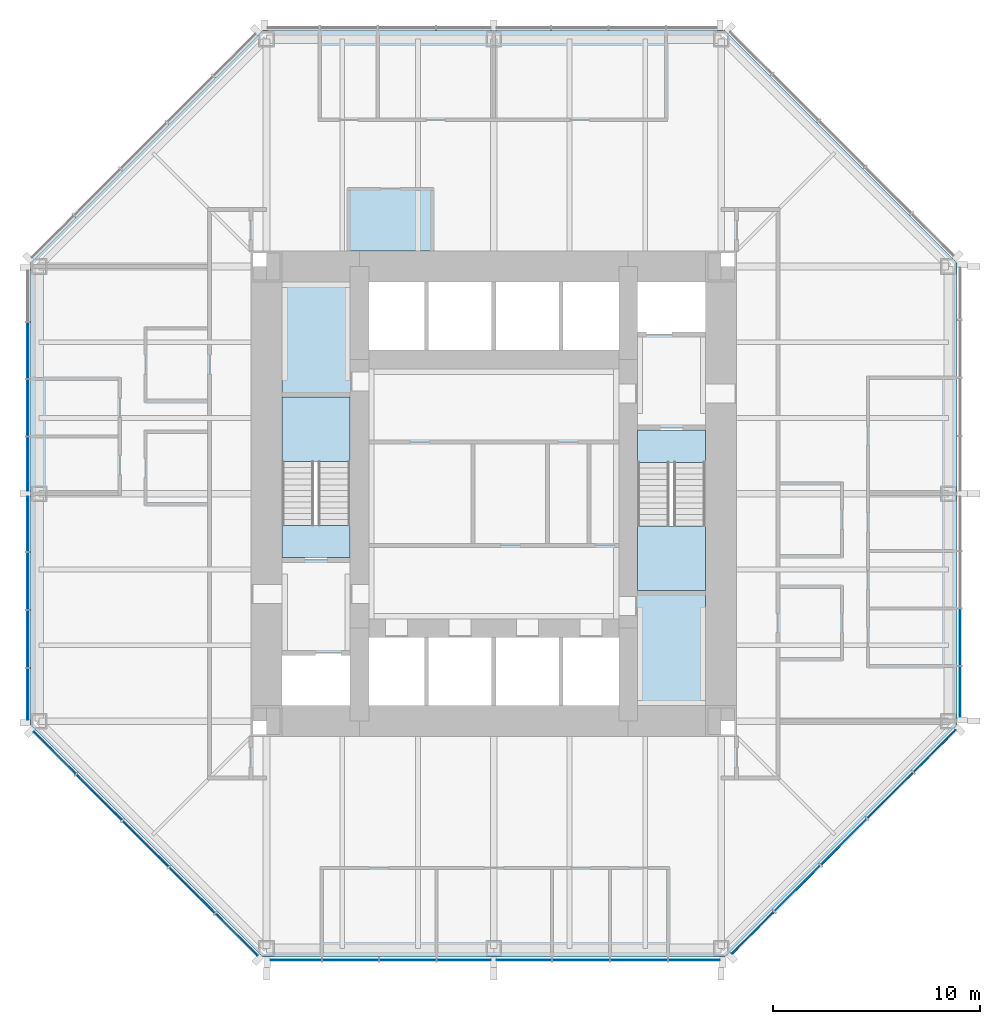
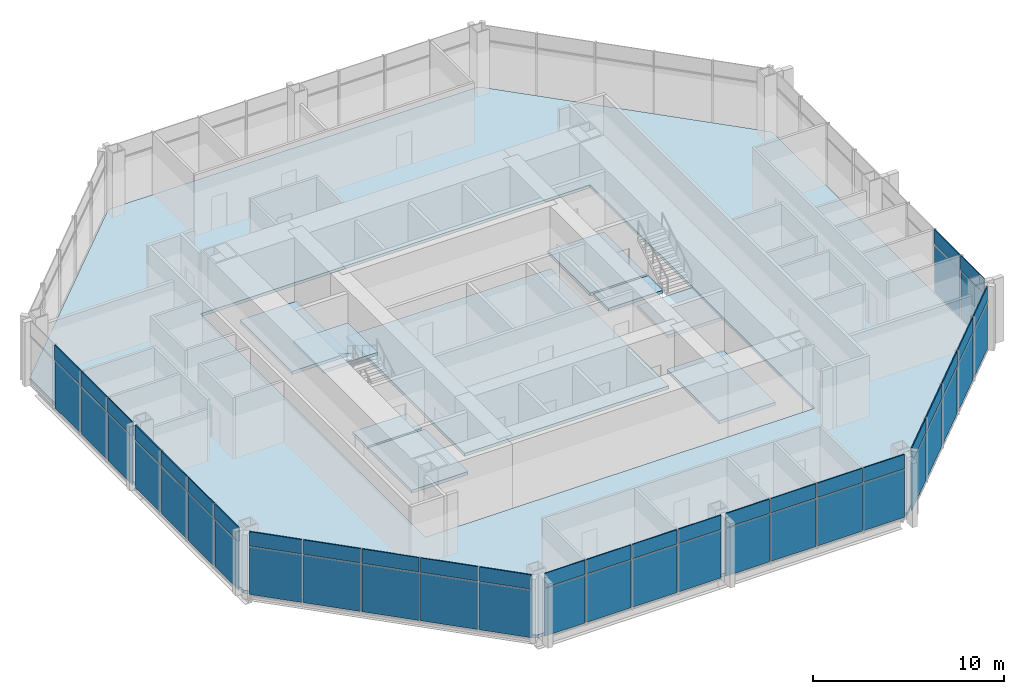
# One storey, part 7 of 12: 54 plates, 10 slabs, 7 elements without a shape of their own.
"""IFC4 building model written with IfcOpenShell, lengths in metres."""

from ifc_helpers import new_model, si_unit, direction, frame, origin, origin_2d, place, context, subcontext, project, spatial, polyline, rectangle, outline, extrude, material, layer, layer_set, type_object, element, aggregate, save


model = new_model("IFC4")

# Units and contexts
model_context = context("Model", 3, precision=1e-05, world=origin(), true_north=direction((0.0, 1.0)))
body_context = subcontext(model_context, "Body", "Model", "MODEL_VIEW")
ifc_project = project(units=[si_unit("LENGTHUNIT", "METRE"), si_unit("AREAUNIT", "SQUARE_METRE"), si_unit("VOLUMEUNIT", "CUBIC_METRE"), si_unit("PLANEANGLEUNIT", "RADIAN"), si_unit("MASSUNIT", "GRAM", prefix="KILO")], contexts=[model_context])

# Site, building, storey
site_placement = place(None, origin())
site = spatial("IfcSite", under=ifc_project, at=site_placement, CompositionType="ELEMENT")
building_placement = place(site_placement, origin())
building = spatial("IfcBuilding", under=site, at=building_placement, Name="Trevanion Tower", CompositionType="ELEMENT")
storey_placement = place(building_placement, frame((0.0, 0.0, 137.699951171875)))
storey = spatial("IfcBuildingStorey", under=building, at=storey_placement, Name="L32", CompositionType="ELEMENT", Elevation=137.699951171875)

# Curtain wall, plates
ifc_material_1 = material(Name="Aluminium and glass", Category="aluminium")
curtain_wall_type = type_object("IfcCurtainWallType", Name="CW2 curtain wall", PredefinedType="USERDEFINED", material=ifc_material_1)
curtain_wall_1_placement = place(storey_placement, origin())
curtain_wall_1 = element("IfcCurtainWall", 1, at=curtain_wall_1_placement, inside=storey, type_object=curtain_wall_type, Name="CW2 L32 0", ObjectType="UNITISED CURTAIN WALL", PredefinedType="USERDEFINED")
ifc_material_2 = material(Name="Aluminium spandrel panel", Category="aluminium")
ifc_layer_1 = layer(ifc_material_2, 0.06005859375)
ifc_layer_set_1 = layer_set([ifc_layer_1], Name="CW2 spandrel panel")
plate_type_1 = type_object("IfcPlateType", Name="CW2 spandrel panel", PredefinedType="CURTAIN_PANEL", material=ifc_layer_set_1)
plate_1_placement = place(storey_placement, frame((22.550048828125, -9.579345703125, 2.99755859375), z_axis=(0.0, 0.0, 1.0), x_axis=(0.0, 1.0, 0.0)))
plate_1 = element("IfcPlate", 2, at=plate_1_placement, type_object=plate_type_1, Name="CW2 panel 1.2", PredefinedType="CURTAIN_PANEL", context=body_context, shape_type="SweptSolid", body=[
    extrude(rectangle(XDim=2.43701171875, YDim=0.06005859375, at=origin_2d()), origin(), (0.0, 0.0, 1.0), 0.91259765625),
])
plate_2_placement = place(storey_placement, frame((22.550048828125, -6.93603515625, 2.99755859375), z_axis=(0.0, 0.0, 1.0), x_axis=(0.0, 1.0, 0.0)))
plate_2 = element("IfcPlate", 3, at=plate_2_placement, type_object=plate_type_1, Name="CW2 panel 2.2", PredefinedType="CURTAIN_PANEL", context=body_context, shape_type="SweptSolid", body=[
    extrude(rectangle(XDim=2.699462890625, YDim=0.06005859375, at=origin_2d()), origin(), (0.0, 0.0, 1.0), 0.91259765625),
])

curtain_wall_2_placement = place(storey_placement, origin())
curtain_wall_2 = element("IfcCurtainWall", 4, at=curtain_wall_2_placement, inside=storey, type_object=curtain_wall_type, Name="CW2 L32 4", ObjectType="UNITISED CURTAIN WALL", PredefinedType="USERDEFINED")
plate_3_placement = place(storey_placement, frame((-22.550048828125, 6.93603515625, 2.99755859375), z_axis=(0.0, 0.0, 1.0), x_axis=(0.0, -1.0, 0.0)))
plate_3 = element("IfcPlate", 5, at=plate_3_placement, type_object=plate_type_1, Name="CW2 panel 2.2", PredefinedType="CURTAIN_PANEL", context=body_context, shape_type="SweptSolid", body=[
    extrude(rectangle(XDim=2.699462890625, YDim=0.06005859375, at=origin_2d()), origin(), (0.0, 0.0, 1.0), 0.91259765625),
])
plate_4_placement = place(storey_placement, frame((-22.550048828125, 4.16162109375, 2.99755859375), z_axis=(0.0, 0.0, 1.0), x_axis=(0.0, -1.0, 0.0)))
plate_4 = element("IfcPlate", 6, at=plate_4_placement, type_object=plate_type_1, Name="CW2 panel 3.2", PredefinedType="CURTAIN_PANEL", context=body_context, shape_type="SweptSolid", body=[
    extrude(rectangle(XDim=2.699462890625, YDim=0.06005859375, at=origin_2d()), origin(), (0.0, 0.0, 1.0), 0.91259765625),
])
plate_5_placement = place(storey_placement, frame((-22.550048828125, 1.443603515625, 2.99755859375), z_axis=(0.0, 0.0, 1.0), x_axis=(0.0, -1.0, 0.0)))
plate_5 = element("IfcPlate", 7, at=plate_5_placement, type_object=plate_type_1, Name="CW2 panel 4.2", PredefinedType="CURTAIN_PANEL", context=body_context, shape_type="SweptSolid", body=[
    extrude(rectangle(XDim=2.5869140625, YDim=0.06005859375, at=origin_2d()), origin(), (0.0, 0.0, 1.0), 0.91259765625),
])
plate_6_placement = place(storey_placement, frame((-22.550048828125, -1.459716796875, 2.99755859375), z_axis=(0.0, 0.0, 1.0), x_axis=(0.0, -1.0, 0.0)))
plate_6 = element("IfcPlate", 8, at=plate_6_placement, type_object=plate_type_1, Name="CW2 panel 5.2", PredefinedType="CURTAIN_PANEL", context=body_context, shape_type="SweptSolid", body=[
    extrude(rectangle(XDim=2.619384765625, YDim=0.06005859375, at=origin_2d()), origin(), (0.0, 0.0, 1.0), 0.91259765625),
])
plate_7_placement = place(storey_placement, frame((-22.550048828125, -4.21044921875, 2.99755859375), z_axis=(0.0, 0.0, 1.0), x_axis=(0.0, -1.0, 0.0)))
plate_7 = element("IfcPlate", 9, at=plate_7_placement, type_object=plate_type_1, Name="CW2 panel 6.2", PredefinedType="CURTAIN_PANEL", context=body_context, shape_type="SweptSolid", body=[
    extrude(rectangle(XDim=2.73193359375, YDim=0.06005859375, at=origin_2d()), origin(), (0.0, 0.0, 1.0), 0.91259765625),
])
plate_8_placement = place(storey_placement, frame((-22.550048828125, -7.017333984375, 2.99755859375), z_axis=(0.0, 0.0, 1.0), x_axis=(0.0, -1.0, 0.0)))
plate_8 = element("IfcPlate", 10, at=plate_8_placement, type_object=plate_type_1, Name="CW2 panel 7.2", PredefinedType="CURTAIN_PANEL", context=body_context, shape_type="SweptSolid", body=[
    extrude(rectangle(XDim=2.73193359375, YDim=0.06005859375, at=origin_2d()), origin(), (0.0, 0.0, 1.0), 0.91259765625),
])
plate_9_placement = place(storey_placement, frame((-22.550048828125, -9.693115234375, 2.99755859375), z_axis=(0.0, 0.0, 1.0), x_axis=(0.0, -1.0, 0.0)))
plate_9 = element("IfcPlate", 11, at=plate_9_placement, type_object=plate_type_1, Name="CW2 panel 8.2", PredefinedType="CURTAIN_PANEL", context=body_context, shape_type="SweptSolid", body=[
    extrude(rectangle(XDim=2.469482421875, YDim=0.06005859375, at=origin_2d()), origin(), (0.0, 0.0, 1.0), 0.91259765625),
])

curtain_wall_3_placement = place(storey_placement, origin())
curtain_wall_3 = element("IfcCurtainWall", 12, at=curtain_wall_3_placement, inside=storey, type_object=curtain_wall_type, Name="CW2 L32 5", ObjectType="UNITISED CURTAIN WALL", PredefinedType="USERDEFINED")
plate_10_placement = place(storey_placement, frame((-21.2421875, -12.53564453125, 2.99755859375), z_axis=(0.0, 0.0, 1.0), x_axis=(0.707106781187, -0.707106781187, 0.0)))
plate_10 = element("IfcPlate", 13, at=plate_10_placement, type_object=plate_type_1, Name="CW2 panel 1.2", PredefinedType="CURTAIN_PANEL", context=body_context, shape_type="SweptSolid", body=[
    extrude(rectangle(XDim=2.8388671875, YDim=0.06005859375, at=origin_2d()), origin(), (0.0, 0.0, 1.0), 0.91259765625),
])
plate_11_placement = place(storey_placement, frame((-19.089111328125, -14.688720703125, 2.99755859375), z_axis=(0.0, 0.0, 1.0), x_axis=(0.707106781187, -0.707106781187, 0.0)))
plate_11 = element("IfcPlate", 14, at=plate_11_placement, type_object=plate_type_1, Name="CW2 panel 2.2", PredefinedType="CURTAIN_PANEL", context=body_context, shape_type="SweptSolid", body=[
    extrude(rectangle(XDim=3.101318359375, YDim=0.06005859375, at=origin_2d()), origin(), (0.0, 0.0, 1.0), 0.91259765625),
])
plate_12_placement = place(storey_placement, frame((-16.843017578125, -16.934814453125, 2.99755859375), z_axis=(0.0, 0.0, 1.0), x_axis=(0.707106781187, -0.707106781187, 0.0)))
plate_12 = element("IfcPlate", 15, at=plate_12_placement, type_object=plate_type_1, Name="CW2 panel 3.2", PredefinedType="CURTAIN_PANEL", context=body_context, shape_type="SweptSolid", body=[
    extrude(rectangle(XDim=3.101318359375, YDim=0.06005859375, at=origin_2d()), origin(), (0.0, 0.0, 1.0), 0.91259765625),
])
plate_13_placement = place(storey_placement, frame((-14.596923828125, -19.180908203125, 2.99755859375), z_axis=(0.0, 0.0, 1.0), x_axis=(0.707106781187, -0.707106781187, 0.0)))
plate_13 = element("IfcPlate", 16, at=plate_13_placement, type_object=plate_type_1, Name="CW2 panel 4.2", PredefinedType="CURTAIN_PANEL", context=body_context, shape_type="SweptSolid", body=[
    extrude(rectangle(XDim=3.101318359375, YDim=0.06005859375, at=origin_2d()), origin(), (0.0, 0.0, 1.0), 0.91259765625),
])
plate_14_placement = place(storey_placement, frame((-12.443603515625, -21.334228515625, 2.99755859375), z_axis=(0.0, 0.0, 1.0), x_axis=(0.707106781187, -0.707106781187, 0.0)))
plate_14 = element("IfcPlate", 17, at=plate_14_placement, type_object=plate_type_1, Name="CW2 panel 5.2", PredefinedType="CURTAIN_PANEL", context=body_context, shape_type="SweptSolid", body=[
    extrude(rectangle(XDim=2.8388671875, YDim=0.06005859375, at=origin_2d()), origin(), (0.0, 0.0, 1.0), 0.91259765625),
])

curtain_wall_4_placement = place(storey_placement, origin())
curtain_wall_4 = element("IfcCurtainWall", 18, at=curtain_wall_4_placement, inside=storey, type_object=curtain_wall_type, Name="CW2 L32 6", ObjectType="UNITISED CURTAIN WALL", PredefinedType="USERDEFINED")
plate_15_placement = place(storey_placement, frame((-9.579345703125, -22.550048828125, 2.99755859375), z_axis=(0.0, 0.0, 1.0), x_axis=(1.0, 0.0, 0.0)))
plate_15 = element("IfcPlate", 19, at=plate_15_placement, type_object=plate_type_1, Name="CW2 panel 1.2", PredefinedType="CURTAIN_PANEL", context=body_context, shape_type="SweptSolid", body=[
    extrude(rectangle(XDim=2.43701171875, YDim=0.06005859375, at=origin_2d()), origin(), (0.0, 0.0, 1.0), 0.91259765625),
])
plate_16_placement = place(storey_placement, frame((-6.93603515625, -22.550048828125, 2.99755859375), z_axis=(0.0, 0.0, 1.0), x_axis=(1.0, 0.0, 0.0)))
plate_16 = element("IfcPlate", 20, at=plate_16_placement, type_object=plate_type_1, Name="CW2 panel 2.2", PredefinedType="CURTAIN_PANEL", context=body_context, shape_type="SweptSolid", body=[
    extrude(rectangle(XDim=2.699462890625, YDim=0.06005859375, at=origin_2d()), origin(), (0.0, 0.0, 1.0), 0.91259765625),
])
plate_17_placement = place(storey_placement, frame((-4.16162109375, -22.550048828125, 2.99755859375), z_axis=(0.0, 0.0, 1.0), x_axis=(1.0, 0.0, 0.0)))
plate_17 = element("IfcPlate", 21, at=plate_17_placement, type_object=plate_type_1, Name="CW2 panel 3.2", PredefinedType="CURTAIN_PANEL", context=body_context, shape_type="SweptSolid", body=[
    extrude(rectangle(XDim=2.699462890625, YDim=0.06005859375, at=origin_2d()), origin(), (0.0, 0.0, 1.0), 0.91259765625),
])
plate_18_placement = place(storey_placement, frame((-1.443603515625, -22.550048828125, 2.99755859375), z_axis=(0.0, 0.0, 1.0), x_axis=(1.0, 0.0, 0.0)))
plate_18 = element("IfcPlate", 22, at=plate_18_placement, type_object=plate_type_1, Name="CW2 panel 4.2", PredefinedType="CURTAIN_PANEL", context=body_context, shape_type="SweptSolid", body=[
    extrude(rectangle(XDim=2.5869140625, YDim=0.06005859375, at=origin_2d()), origin(), (0.0, 0.0, 1.0), 0.91259765625),
])
plate_19_placement = place(storey_placement, frame((1.459716796875, -22.550048828125, 2.99755859375), z_axis=(0.0, 0.0, 1.0), x_axis=(1.0, 0.0, 0.0)))
plate_19 = element("IfcPlate", 23, at=plate_19_placement, type_object=plate_type_1, Name="CW2 panel 5.2", PredefinedType="CURTAIN_PANEL", context=body_context, shape_type="SweptSolid", body=[
    extrude(rectangle(XDim=2.619384765625, YDim=0.06005859375, at=origin_2d()), origin(), (0.0, 0.0, 1.0), 0.91259765625),
])
plate_20_placement = place(storey_placement, frame((4.21044921875, -22.550048828125, 2.99755859375), z_axis=(0.0, 0.0, 1.0), x_axis=(1.0, 0.0, 0.0)))
plate_20 = element("IfcPlate", 24, at=plate_20_placement, type_object=plate_type_1, Name="CW2 panel 6.2", PredefinedType="CURTAIN_PANEL", context=body_context, shape_type="SweptSolid", body=[
    extrude(rectangle(XDim=2.73193359375, YDim=0.06005859375, at=origin_2d()), origin(), (0.0, 0.0, 1.0), 0.91259765625),
])
plate_21_placement = place(storey_placement, frame((7.017333984375, -22.550048828125, 2.99755859375), z_axis=(0.0, 0.0, 1.0), x_axis=(1.0, 0.0, 0.0)))
plate_21 = element("IfcPlate", 25, at=plate_21_placement, type_object=plate_type_1, Name="CW2 panel 7.2", PredefinedType="CURTAIN_PANEL", context=body_context, shape_type="SweptSolid", body=[
    extrude(rectangle(XDim=2.73193359375, YDim=0.06005859375, at=origin_2d()), origin(), (0.0, 0.0, 1.0), 0.91259765625),
])
plate_22_placement = place(storey_placement, frame((9.693115234375, -22.550048828125, 2.99755859375), z_axis=(0.0, 0.0, 1.0), x_axis=(1.0, 0.0, 0.0)))
plate_22 = element("IfcPlate", 26, at=plate_22_placement, type_object=plate_type_1, Name="CW2 panel 8.2", PredefinedType="CURTAIN_PANEL", context=body_context, shape_type="SweptSolid", body=[
    extrude(rectangle(XDim=2.469482421875, YDim=0.06005859375, at=origin_2d()), origin(), (0.0, 0.0, 1.0), 0.91259765625),
])

curtain_wall_5_placement = place(storey_placement, origin())
curtain_wall_5 = element("IfcCurtainWall", 27, at=curtain_wall_5_placement, inside=storey, type_object=curtain_wall_type, Name="CW2 L32 7", ObjectType="UNITISED CURTAIN WALL", PredefinedType="USERDEFINED")
plate_23_placement = place(storey_placement, frame((12.53564453125, -21.2421875, 2.99755859375), z_axis=(0.0, 0.0, 1.0), x_axis=(0.707106781187, 0.707106781187, 0.0)))
plate_23 = element("IfcPlate", 28, at=plate_23_placement, type_object=plate_type_1, Name="CW2 panel 1.2", PredefinedType="CURTAIN_PANEL", context=body_context, shape_type="SweptSolid", body=[
    extrude(rectangle(XDim=2.8388671875, YDim=0.06005859375, at=origin_2d()), origin(), (0.0, 0.0, 1.0), 0.91259765625),
])
plate_24_placement = place(storey_placement, frame((14.688720703125, -19.089111328125, 2.99755859375), z_axis=(0.0, 0.0, 1.0), x_axis=(0.707106781187, 0.707106781187, 0.0)))
plate_24 = element("IfcPlate", 29, at=plate_24_placement, type_object=plate_type_1, Name="CW2 panel 2.2", PredefinedType="CURTAIN_PANEL", context=body_context, shape_type="SweptSolid", body=[
    extrude(rectangle(XDim=3.101318359375, YDim=0.06005859375, at=origin_2d()), origin(), (0.0, 0.0, 1.0), 0.91259765625),
])
plate_25_placement = place(storey_placement, frame((16.934814453125, -16.843017578125, 2.99755859375), z_axis=(0.0, 0.0, 1.0), x_axis=(0.707106781187, 0.707106781187, 0.0)))
plate_25 = element("IfcPlate", 30, at=plate_25_placement, type_object=plate_type_1, Name="CW2 panel 3.2", PredefinedType="CURTAIN_PANEL", context=body_context, shape_type="SweptSolid", body=[
    extrude(rectangle(XDim=3.101318359375, YDim=0.06005859375, at=origin_2d()), origin(), (0.0, 0.0, 1.0), 0.91259765625),
])
plate_26_placement = place(storey_placement, frame((19.180908203125, -14.596923828125, 2.99755859375), z_axis=(0.0, 0.0, 1.0), x_axis=(0.707106781187, 0.707106781187, 0.0)))
plate_26 = element("IfcPlate", 31, at=plate_26_placement, type_object=plate_type_1, Name="CW2 panel 4.2", PredefinedType="CURTAIN_PANEL", context=body_context, shape_type="SweptSolid", body=[
    extrude(rectangle(XDim=3.101318359375, YDim=0.06005859375, at=origin_2d()), origin(), (0.0, 0.0, 1.0), 0.91259765625),
])
plate_27_placement = place(storey_placement, frame((21.334228515625, -12.443603515625, 2.99755859375), z_axis=(0.0, 0.0, 1.0), x_axis=(0.707106781187, 0.707106781187, 0.0)))
plate_27 = element("IfcPlate", 32, at=plate_27_placement, type_object=plate_type_1, Name="CW2 panel 5.2", PredefinedType="CURTAIN_PANEL", context=body_context, shape_type="SweptSolid", body=[
    extrude(rectangle(XDim=2.8388671875, YDim=0.06005859375, at=origin_2d()), origin(), (0.0, 0.0, 1.0), 0.91259765625),
])

# Plate
ifc_material_3 = material(Name="Insulating glass unit", Category="glass")
ifc_layer_2 = layer(ifc_material_3, 0.028076171875)
ifc_layer_set_2 = layer_set([ifc_layer_2], Name="CW2 vision panel")
plate_type_2 = type_object("IfcPlateType", Name="CW2 vision panel", PredefinedType="CURTAIN_PANEL", material=ifc_layer_set_2)
plate_28_placement = place(storey_placement, frame((22.550048828125, -9.579345703125, -0.114990234375), z_axis=(0.0, 0.0, 1.0), x_axis=(0.0, 1.0, 0.0)))
plate_28 = element("IfcPlate", 33, at=plate_28_placement, type_object=plate_type_2, Name="CW2 panel 1.1", PredefinedType="CURTAIN_PANEL", context=body_context, shape_type="SweptSolid", body=[
    extrude(rectangle(XDim=2.43701171875, YDim=0.028076171875, at=origin_2d()), origin(), (0.0, 0.0, 1.0), 3.03759765625),
])

plate_29_placement = place(storey_placement, frame((22.550048828125, -6.93603515625, -0.114990234375), z_axis=(0.0, 0.0, 1.0), x_axis=(0.0, 1.0, 0.0)))
plate_29 = element("IfcPlate", 34, at=plate_29_placement, type_object=plate_type_2, Name="CW2 panel 2.1", PredefinedType="CURTAIN_PANEL", context=body_context, shape_type="SweptSolid", body=[
    extrude(rectangle(XDim=2.699462890625, YDim=0.028076171875, at=origin_2d()), origin(), (0.0, 0.0, 1.0), 3.03759765625),
])

aggregate(curtain_wall_1, [plate_28, plate_1, plate_29, plate_2])

plate_30_placement = place(storey_placement, frame((-22.550048828125, 6.93603515625, -0.114990234375), z_axis=(0.0, 0.0, 1.0), x_axis=(0.0, -1.0, 0.0)))
plate_30 = element("IfcPlate", 35, at=plate_30_placement, type_object=plate_type_2, Name="CW2 panel 2.1", PredefinedType="CURTAIN_PANEL", context=body_context, shape_type="SweptSolid", body=[
    extrude(rectangle(XDim=2.699462890625, YDim=0.028076171875, at=origin_2d()), origin(), (0.0, 0.0, 1.0), 3.03759765625),
])

plate_31_placement = place(storey_placement, frame((-22.550048828125, 4.16162109375, -0.114990234375), z_axis=(0.0, 0.0, 1.0), x_axis=(0.0, -1.0, 0.0)))
plate_31 = element("IfcPlate", 36, at=plate_31_placement, type_object=plate_type_2, Name="CW2 panel 3.1", PredefinedType="CURTAIN_PANEL", context=body_context, shape_type="SweptSolid", body=[
    extrude(rectangle(XDim=2.699462890625, YDim=0.028076171875, at=origin_2d()), origin(), (0.0, 0.0, 1.0), 3.03759765625),
])

plate_32_placement = place(storey_placement, frame((-22.550048828125, 1.443603515625, -0.114990234375), z_axis=(0.0, 0.0, 1.0), x_axis=(0.0, -1.0, 0.0)))
plate_32 = element("IfcPlate", 37, at=plate_32_placement, type_object=plate_type_2, Name="CW2 panel 4.1", PredefinedType="CURTAIN_PANEL", context=body_context, shape_type="SweptSolid", body=[
    extrude(rectangle(XDim=2.5869140625, YDim=0.028076171875, at=origin_2d()), origin(), (0.0, 0.0, 1.0), 3.03759765625),
])

plate_33_placement = place(storey_placement, frame((-22.550048828125, -1.459716796875, -0.114990234375), z_axis=(0.0, 0.0, 1.0), x_axis=(0.0, -1.0, 0.0)))
plate_33 = element("IfcPlate", 38, at=plate_33_placement, type_object=plate_type_2, Name="CW2 panel 5.1", PredefinedType="CURTAIN_PANEL", context=body_context, shape_type="SweptSolid", body=[
    extrude(rectangle(XDim=2.619384765625, YDim=0.028076171875, at=origin_2d()), origin(), (0.0, 0.0, 1.0), 3.03759765625),
])

plate_34_placement = place(storey_placement, frame((-22.550048828125, -4.21044921875, -0.114990234375), z_axis=(0.0, 0.0, 1.0), x_axis=(0.0, -1.0, 0.0)))
plate_34 = element("IfcPlate", 39, at=plate_34_placement, type_object=plate_type_2, Name="CW2 panel 6.1", PredefinedType="CURTAIN_PANEL", context=body_context, shape_type="SweptSolid", body=[
    extrude(rectangle(XDim=2.73193359375, YDim=0.028076171875, at=origin_2d()), origin(), (0.0, 0.0, 1.0), 3.03759765625),
])

plate_35_placement = place(storey_placement, frame((-22.550048828125, -7.017333984375, -0.114990234375), z_axis=(0.0, 0.0, 1.0), x_axis=(0.0, -1.0, 0.0)))
plate_35 = element("IfcPlate", 40, at=plate_35_placement, type_object=plate_type_2, Name="CW2 panel 7.1", PredefinedType="CURTAIN_PANEL", context=body_context, shape_type="SweptSolid", body=[
    extrude(rectangle(XDim=2.73193359375, YDim=0.028076171875, at=origin_2d()), origin(), (0.0, 0.0, 1.0), 3.03759765625),
])

plate_36_placement = place(storey_placement, frame((-22.550048828125, -9.693115234375, -0.114990234375), z_axis=(0.0, 0.0, 1.0), x_axis=(0.0, -1.0, 0.0)))
plate_36 = element("IfcPlate", 41, at=plate_36_placement, type_object=plate_type_2, Name="CW2 panel 8.1", PredefinedType="CURTAIN_PANEL", context=body_context, shape_type="SweptSolid", body=[
    extrude(rectangle(XDim=2.469482421875, YDim=0.028076171875, at=origin_2d()), origin(), (0.0, 0.0, 1.0), 3.03759765625),
])

aggregate(curtain_wall_2, [plate_30, plate_3, plate_31, plate_4, plate_32, plate_5, plate_33, plate_6, plate_34, plate_7, plate_35, plate_8, plate_36, plate_9])

plate_37_placement = place(storey_placement, frame((-21.2421875, -12.53564453125, -0.114990234375), z_axis=(0.0, 0.0, 1.0), x_axis=(0.707106781187, -0.707106781187, 0.0)))
plate_37 = element("IfcPlate", 42, at=plate_37_placement, type_object=plate_type_2, Name="CW2 panel 1.1", PredefinedType="CURTAIN_PANEL", context=body_context, shape_type="SweptSolid", body=[
    extrude(rectangle(XDim=2.8388671875, YDim=0.028076171875, at=origin_2d()), origin(), (0.0, 0.0, 1.0), 3.03759765625),
])

plate_38_placement = place(storey_placement, frame((-19.089111328125, -14.688720703125, -0.114990234375), z_axis=(0.0, 0.0, 1.0), x_axis=(0.707106781187, -0.707106781187, 0.0)))
plate_38 = element("IfcPlate", 43, at=plate_38_placement, type_object=plate_type_2, Name="CW2 panel 2.1", PredefinedType="CURTAIN_PANEL", context=body_context, shape_type="SweptSolid", body=[
    extrude(rectangle(XDim=3.101318359375, YDim=0.028076171875, at=origin_2d()), origin(), (0.0, 0.0, 1.0), 3.03759765625),
])

plate_39_placement = place(storey_placement, frame((-16.843017578125, -16.934814453125, -0.114990234375), z_axis=(0.0, 0.0, 1.0), x_axis=(0.707106781187, -0.707106781187, 0.0)))
plate_39 = element("IfcPlate", 44, at=plate_39_placement, type_object=plate_type_2, Name="CW2 panel 3.1", PredefinedType="CURTAIN_PANEL", context=body_context, shape_type="SweptSolid", body=[
    extrude(rectangle(XDim=3.101318359375, YDim=0.028076171875, at=origin_2d()), origin(), (0.0, 0.0, 1.0), 3.03759765625),
])

plate_40_placement = place(storey_placement, frame((-14.596923828125, -19.180908203125, -0.114990234375), z_axis=(0.0, 0.0, 1.0), x_axis=(0.707106781187, -0.707106781187, 0.0)))
plate_40 = element("IfcPlate", 45, at=plate_40_placement, type_object=plate_type_2, Name="CW2 panel 4.1", PredefinedType="CURTAIN_PANEL", context=body_context, shape_type="SweptSolid", body=[
    extrude(rectangle(XDim=3.101318359375, YDim=0.028076171875, at=origin_2d()), origin(), (0.0, 0.0, 1.0), 3.03759765625),
])

plate_41_placement = place(storey_placement, frame((-12.443603515625, -21.334228515625, -0.114990234375), z_axis=(0.0, 0.0, 1.0), x_axis=(0.707106781187, -0.707106781187, 0.0)))
plate_41 = element("IfcPlate", 46, at=plate_41_placement, type_object=plate_type_2, Name="CW2 panel 5.1", PredefinedType="CURTAIN_PANEL", context=body_context, shape_type="SweptSolid", body=[
    extrude(rectangle(XDim=2.8388671875, YDim=0.028076171875, at=origin_2d()), origin(), (0.0, 0.0, 1.0), 3.03759765625),
])

aggregate(curtain_wall_3, [plate_37, plate_10, plate_38, plate_11, plate_39, plate_12, plate_40, plate_13, plate_41, plate_14])

plate_42_placement = place(storey_placement, frame((-9.579345703125, -22.550048828125, -0.114990234375), z_axis=(0.0, 0.0, 1.0), x_axis=(1.0, 0.0, 0.0)))
plate_42 = element("IfcPlate", 47, at=plate_42_placement, type_object=plate_type_2, Name="CW2 panel 1.1", PredefinedType="CURTAIN_PANEL", context=body_context, shape_type="SweptSolid", body=[
    extrude(rectangle(XDim=2.43701171875, YDim=0.028076171875, at=origin_2d()), origin(), (0.0, 0.0, 1.0), 3.03759765625),
])

plate_43_placement = place(storey_placement, frame((-6.93603515625, -22.550048828125, -0.114990234375), z_axis=(0.0, 0.0, 1.0), x_axis=(1.0, 0.0, 0.0)))
plate_43 = element("IfcPlate", 48, at=plate_43_placement, type_object=plate_type_2, Name="CW2 panel 2.1", PredefinedType="CURTAIN_PANEL", context=body_context, shape_type="SweptSolid", body=[
    extrude(rectangle(XDim=2.699462890625, YDim=0.028076171875, at=origin_2d()), origin(), (0.0, 0.0, 1.0), 3.03759765625),
])

plate_44_placement = place(storey_placement, frame((-4.16162109375, -22.550048828125, -0.114990234375), z_axis=(0.0, 0.0, 1.0), x_axis=(1.0, 0.0, 0.0)))
plate_44 = element("IfcPlate", 49, at=plate_44_placement, type_object=plate_type_2, Name="CW2 panel 3.1", PredefinedType="CURTAIN_PANEL", context=body_context, shape_type="SweptSolid", body=[
    extrude(rectangle(XDim=2.699462890625, YDim=0.028076171875, at=origin_2d()), origin(), (0.0, 0.0, 1.0), 3.03759765625),
])

plate_45_placement = place(storey_placement, frame((-1.443603515625, -22.550048828125, -0.114990234375), z_axis=(0.0, 0.0, 1.0), x_axis=(1.0, 0.0, 0.0)))
plate_45 = element("IfcPlate", 50, at=plate_45_placement, type_object=plate_type_2, Name="CW2 panel 4.1", PredefinedType="CURTAIN_PANEL", context=body_context, shape_type="SweptSolid", body=[
    extrude(rectangle(XDim=2.5869140625, YDim=0.028076171875, at=origin_2d()), origin(), (0.0, 0.0, 1.0), 3.03759765625),
])

plate_46_placement = place(storey_placement, frame((1.459716796875, -22.550048828125, -0.114990234375), z_axis=(0.0, 0.0, 1.0), x_axis=(1.0, 0.0, 0.0)))
plate_46 = element("IfcPlate", 51, at=plate_46_placement, type_object=plate_type_2, Name="CW2 panel 5.1", PredefinedType="CURTAIN_PANEL", context=body_context, shape_type="SweptSolid", body=[
    extrude(rectangle(XDim=2.619384765625, YDim=0.028076171875, at=origin_2d()), origin(), (0.0, 0.0, 1.0), 3.03759765625),
])

plate_47_placement = place(storey_placement, frame((4.21044921875, -22.550048828125, -0.114990234375), z_axis=(0.0, 0.0, 1.0), x_axis=(1.0, 0.0, 0.0)))
plate_47 = element("IfcPlate", 52, at=plate_47_placement, type_object=plate_type_2, Name="CW2 panel 6.1", PredefinedType="CURTAIN_PANEL", context=body_context, shape_type="SweptSolid", body=[
    extrude(rectangle(XDim=2.73193359375, YDim=0.028076171875, at=origin_2d()), origin(), (0.0, 0.0, 1.0), 3.03759765625),
])

plate_48_placement = place(storey_placement, frame((7.017333984375, -22.550048828125, -0.114990234375), z_axis=(0.0, 0.0, 1.0), x_axis=(1.0, 0.0, 0.0)))
plate_48 = element("IfcPlate", 53, at=plate_48_placement, type_object=plate_type_2, Name="CW2 panel 7.1", PredefinedType="CURTAIN_PANEL", context=body_context, shape_type="SweptSolid", body=[
    extrude(rectangle(XDim=2.73193359375, YDim=0.028076171875, at=origin_2d()), origin(), (0.0, 0.0, 1.0), 3.03759765625),
])

plate_49_placement = place(storey_placement, frame((9.693115234375, -22.550048828125, -0.114990234375), z_axis=(0.0, 0.0, 1.0), x_axis=(1.0, 0.0, 0.0)))
plate_49 = element("IfcPlate", 54, at=plate_49_placement, type_object=plate_type_2, Name="CW2 panel 8.1", PredefinedType="CURTAIN_PANEL", context=body_context, shape_type="SweptSolid", body=[
    extrude(rectangle(XDim=2.469482421875, YDim=0.028076171875, at=origin_2d()), origin(), (0.0, 0.0, 1.0), 3.03759765625),
])

aggregate(curtain_wall_4, [plate_42, plate_15, plate_43, plate_16, plate_44, plate_17, plate_45, plate_18, plate_46, plate_19, plate_47, plate_20, plate_48, plate_21, plate_49, plate_22])

plate_50_placement = place(storey_placement, frame((12.53564453125, -21.2421875, -0.114990234375), z_axis=(0.0, 0.0, 1.0), x_axis=(0.707106781187, 0.707106781187, 0.0)))
plate_50 = element("IfcPlate", 55, at=plate_50_placement, type_object=plate_type_2, Name="CW2 panel 1.1", PredefinedType="CURTAIN_PANEL", context=body_context, shape_type="SweptSolid", body=[
    extrude(rectangle(XDim=2.8388671875, YDim=0.028076171875, at=origin_2d()), origin(), (0.0, 0.0, 1.0), 3.03759765625),
])

plate_51_placement = place(storey_placement, frame((14.688720703125, -19.089111328125, -0.114990234375), z_axis=(0.0, 0.0, 1.0), x_axis=(0.707106781187, 0.707106781187, 0.0)))
plate_51 = element("IfcPlate", 56, at=plate_51_placement, type_object=plate_type_2, Name="CW2 panel 2.1", PredefinedType="CURTAIN_PANEL", context=body_context, shape_type="SweptSolid", body=[
    extrude(rectangle(XDim=3.101318359375, YDim=0.028076171875, at=origin_2d()), origin(), (0.0, 0.0, 1.0), 3.03759765625),
])

plate_52_placement = place(storey_placement, frame((16.934814453125, -16.843017578125, -0.114990234375), z_axis=(0.0, 0.0, 1.0), x_axis=(0.707106781187, 0.707106781187, 0.0)))
plate_52 = element("IfcPlate", 57, at=plate_52_placement, type_object=plate_type_2, Name="CW2 panel 3.1", PredefinedType="CURTAIN_PANEL", context=body_context, shape_type="SweptSolid", body=[
    extrude(rectangle(XDim=3.101318359375, YDim=0.028076171875, at=origin_2d()), origin(), (0.0, 0.0, 1.0), 3.03759765625),
])

plate_53_placement = place(storey_placement, frame((19.180908203125, -14.596923828125, -0.114990234375), z_axis=(0.0, 0.0, 1.0), x_axis=(0.707106781187, 0.707106781187, 0.0)))
plate_53 = element("IfcPlate", 58, at=plate_53_placement, type_object=plate_type_2, Name="CW2 panel 4.1", PredefinedType="CURTAIN_PANEL", context=body_context, shape_type="SweptSolid", body=[
    extrude(rectangle(XDim=3.101318359375, YDim=0.028076171875, at=origin_2d()), origin(), (0.0, 0.0, 1.0), 3.03759765625),
])

plate_54_placement = place(storey_placement, frame((21.334228515625, -12.443603515625, -0.114990234375), z_axis=(0.0, 0.0, 1.0), x_axis=(0.707106781187, 0.707106781187, 0.0)))
plate_54 = element("IfcPlate", 59, at=plate_54_placement, type_object=plate_type_2, Name="CW2 panel 5.1", PredefinedType="CURTAIN_PANEL", context=body_context, shape_type="SweptSolid", body=[
    extrude(rectangle(XDim=2.8388671875, YDim=0.028076171875, at=origin_2d()), origin(), (0.0, 0.0, 1.0), 3.03759765625),
])

aggregate(curtain_wall_5, [plate_50, plate_23, plate_51, plate_24, plate_52, plate_25, plate_53, plate_26, plate_54, plate_27])

# Slabs
ifc_material_4 = material(Name="Concrete 5,000 psi on composite metal deck", Category="concrete")
ifc_layer_3 = layer(ifc_material_4, 0.18994140625)
ifc_layer_set_3 = layer_set([ifc_layer_3], Name="SL1 composite floor 190")
slab_type_1 = type_object("IfcSlabType", Name="SL1 composite floor 190", PredefinedType="FLOOR", material=ifc_layer_set_3)
slab_1_placement = place(storey_placement, frame((0.0, 0.0, -0.18994140625)))
element("IfcSlab", 60, at=slab_1_placement, inside=storey, type_object=slab_type_1, Name="SL1 L32 floor", PredefinedType="FLOOR", context=body_context, shape_type="SweptSolid", body=[
    extrude(outline(polyline([(22.419921875, -11.174072265625), (22.419921875, 11.174072265625), (11.174072265625, 22.419921875), (-11.174072265625, 22.419921875), (-22.419921875, 11.174072265625), (-22.419921875, -11.174072265625), (-11.174072265625, -22.419921875), (11.174072265625, -22.419921875), (22.419921875, -11.174072265625)]), holes=[polyline([(11.75, -11.75), (11.75, 11.75), (-11.75, 11.75), (-11.75, -11.75), (11.75, -11.75)])]), origin(), (0.0, 0.0, 1.0), 0.18994140625),
])
ifc_material_5 = material(Name="Concrete 5,000 psi", Category="concrete")
ifc_layer_4 = layer(ifc_material_5, 0.199951171875)
ifc_layer_set_4 = layer_set([ifc_layer_4], Name="SL2 core floor 200")
slab_type_2 = type_object("IfcSlabType", Name="SL2 core floor 200", PredefinedType="FLOOR", material=ifc_layer_set_4)
slab_2_placement = place(storey_placement, frame((0.0, 0.0, -0.199951171875)))
element("IfcSlab", 61, at=slab_2_placement, inside=storey, type_object=slab_type_2, Name="SL2 L32 core floor 1", PredefinedType="FLOOR", context=body_context, shape_type="SweptSolid", body=[
    extrude(outline(polyline([(10.25, -4.804931640625), (10.25, -10.25), (6.830078125, -10.25), (6.830078125, -4.804931640625), (10.25, -4.804931640625)])), origin(), (0.0, 0.0, 1.0), 0.199951171875),
])
slab_3_placement = place(storey_placement, frame((0.0, 0.0, -0.199951171875)))
element("IfcSlab", 62, at=slab_3_placement, inside=storey, type_object=slab_type_2, Name="SL2 L32 core floor 2", PredefinedType="FLOOR", context=body_context, shape_type="SweptSolid", body=[
    extrude(outline(polyline([(-6.830078125, -3.205078125), (-6.830078125, -7.695068359375), (-10.25, -7.695068359375), (-10.25, -3.205078125), (-6.830078125, -3.205078125)])), origin(), (0.0, 0.0, 1.0), 0.199951171875),
])
slab_4_placement = place(storey_placement, frame((0.0, 0.0, -0.199951171875)))
element("IfcSlab", 63, at=slab_4_placement, inside=storey, type_object=slab_type_2, Name="SL2 L32 core floor 3", PredefinedType="FLOOR", context=body_context, shape_type="SweptSolid", body=[
    extrude(outline(polyline([(6.169921875, -6.169921875), (-6.169921875, -6.169921875), (-6.169921875, 6.169921875), (6.169921875, 6.169921875), (6.169921875, -6.169921875)])), origin(), (0.0, 0.0, 1.0), 0.199951171875),
])
slab_5_placement = place(storey_placement, frame((0.0, 0.0, -0.199951171875)))
element("IfcSlab", 64, at=slab_5_placement, inside=storey, type_object=slab_type_2, Name="SL2 L32 core floor 4", PredefinedType="FLOOR", context=body_context, shape_type="SweptSolid", body=[
    extrude(outline(polyline([(6.830078125, 3.205078125), (6.830078125, 7.695068359375), (10.25, 7.695068359375), (10.25, 3.205078125), (6.830078125, 3.205078125)])), origin(), (0.0, 0.0, 1.0), 0.199951171875),
])
slab_6_placement = place(storey_placement, frame((0.0, 0.0, -0.199951171875)))
element("IfcSlab", 65, at=slab_6_placement, inside=storey, type_object=slab_type_2, Name="SL2 L32 core floor 5", PredefinedType="FLOOR", context=body_context, shape_type="SweptSolid", body=[
    extrude(outline(polyline([(-6.830078125, 4.804931640625), (-10.25, 4.804931640625), (-10.25, 10.25), (-6.830078125, 10.25), (-6.830078125, 4.804931640625)])), origin(), (0.0, 0.0, 1.0), 0.199951171875),
])

# Stair, slabs
ifc_material_6 = material(Name="Concrete 5,000 psi on steel stringers", Category="concrete")
stair_type = type_object("IfcStairType", Name="ST stair", PredefinedType="HALF_TURN_STAIR", material=ifc_material_6)
stair_1_placement = place(storey_placement, origin())
stair_1 = element("IfcStair", 66, at=stair_1_placement, inside=storey, type_object=stair_type, Name="ST1 L32", PredefinedType="HALF_TURN_STAIR")
ifc_material_7 = material(Name="Concrete 5,000 psi in steel pan", Category="concrete")
ifc_layer_5 = layer(ifc_material_7, 0.199951171875)
ifc_layer_set_5 = layer_set([ifc_layer_5], Name="STL stair landing 200")
slab_type_3 = type_object("IfcSlabType", Name="STL stair landing 200", PredefinedType="LANDING", material=ifc_layer_set_5)
slab_7_placement = place(storey_placement, frame((0.0, 0.0, -0.199951171875)))
slab_7 = element("IfcSlab", 67, at=slab_7_placement, type_object=slab_type_3, Name="ST1 landing 1", PredefinedType="LANDING", context=body_context, shape_type="SweptSolid", body=[
    extrude(outline(polyline([(6.949951171875, 1.52490234375), (10.25, 1.52490234375), (10.25, 3.074951171875), (6.949951171875, 3.074951171875), (6.949951171875, 1.52490234375)])), origin(), (0.0, 0.0, 1.0), 0.199951171875),
])
slab_8_placement = place(storey_placement, frame((0.0, 0.0, 1.85009765625)))
slab_8 = element("IfcSlab", 68, at=slab_8_placement, type_object=slab_type_3, Name="ST1 landing 2", PredefinedType="LANDING", context=body_context, shape_type="SweptSolid", body=[
    extrude(outline(polyline([(6.949951171875, -4.675048828125), (10.25, -4.675048828125), (10.25, -1.554931640625), (6.949951171875, -1.554931640625), (6.949951171875, -4.675048828125)])), origin(), (0.0, 0.0, 1.0), 0.199951171875),
])
aggregate(stair_1, [slab_7, slab_8])

stair_2_placement = place(storey_placement, origin())
stair_2 = element("IfcStair", 69, at=stair_2_placement, inside=storey, type_object=stair_type, Name="ST2 L32", PredefinedType="HALF_TURN_STAIR")
slab_9_placement = place(storey_placement, frame((0.0, 0.0, -0.199951171875)))
slab_9 = element("IfcSlab", 70, at=slab_9_placement, type_object=slab_type_3, Name="ST2 landing 1", PredefinedType="LANDING", context=body_context, shape_type="SweptSolid", body=[
    extrude(outline(polyline([(-6.949951171875, -1.52490234375), (-10.25, -1.52490234375), (-10.25, -3.074951171875), (-6.949951171875, -3.074951171875), (-6.949951171875, -1.52490234375)])), origin(), (0.0, 0.0, 1.0), 0.199951171875),
])
slab_10_placement = place(storey_placement, frame((0.0, 0.0, 1.85009765625)))
slab_10 = element("IfcSlab", 71, at=slab_10_placement, type_object=slab_type_3, Name="ST2 landing 2", PredefinedType="LANDING", context=body_context, shape_type="SweptSolid", body=[
    extrude(outline(polyline([(-6.949951171875, 4.675048828125), (-10.25, 4.675048828125), (-10.25, 1.554931640625), (-6.949951171875, 1.554931640625), (-6.949951171875, 4.675048828125)])), origin(), (0.0, 0.0, 1.0), 0.199951171875),
])
aggregate(stair_2, [slab_9, slab_10])

save(model, "model.ifc")
